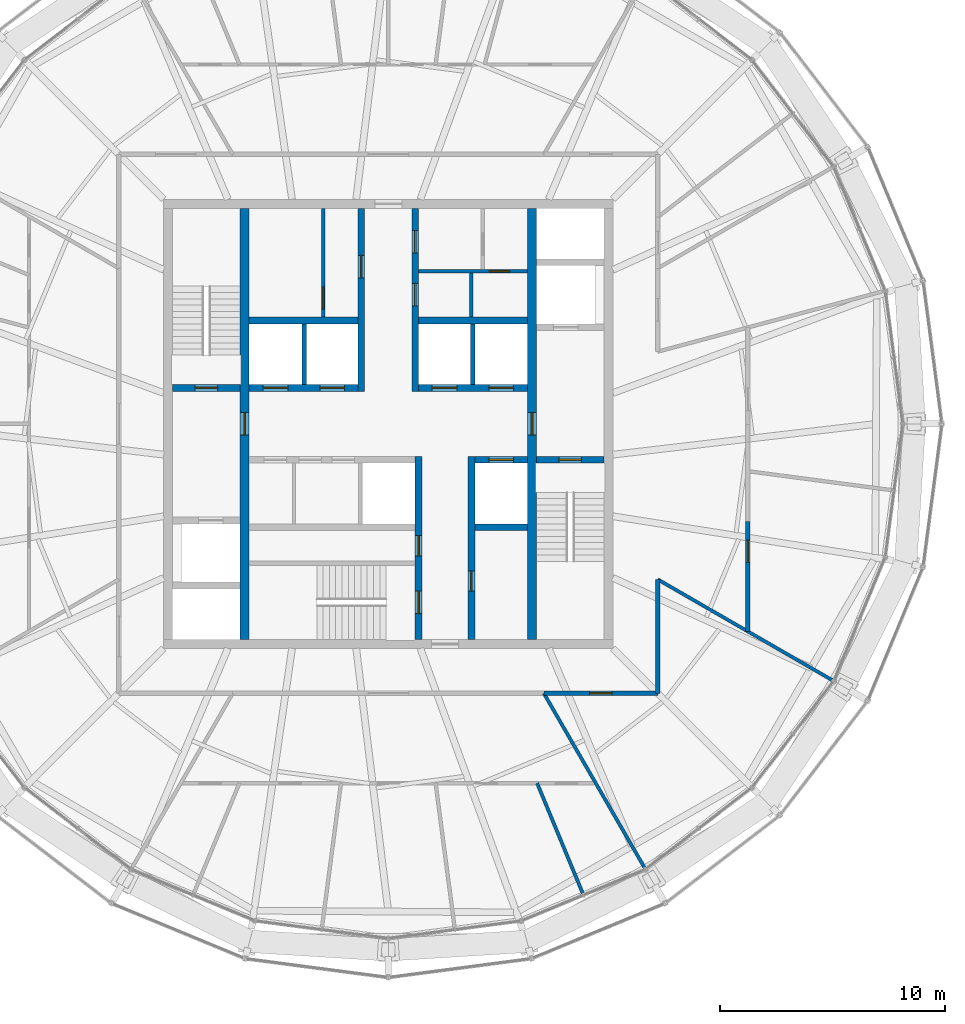
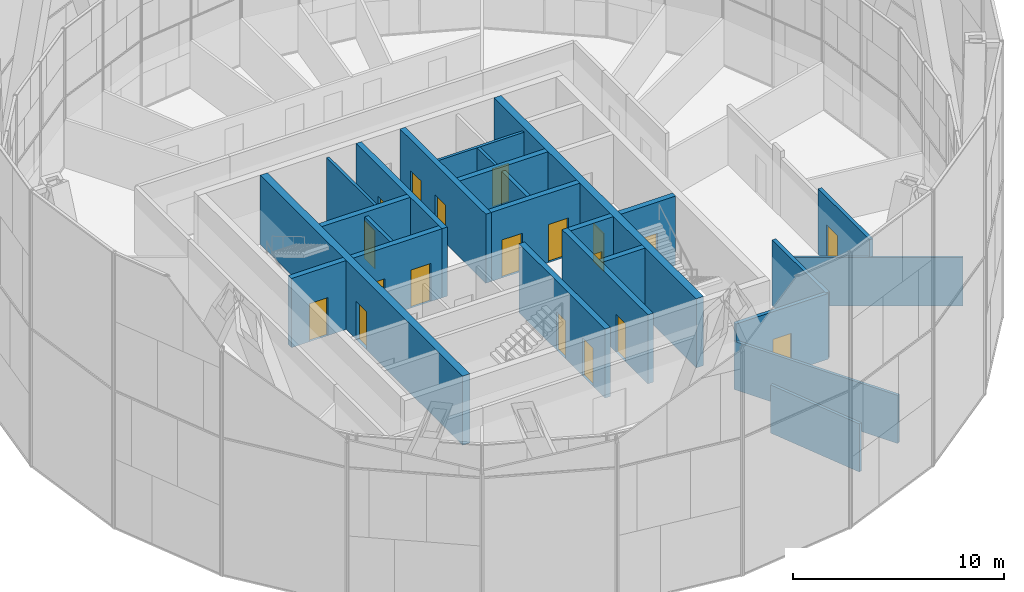
# One storey, part 20 of 23: 25 walls, 19 doors, 19 openings.
"""IFC4 building model written with IfcOpenShell, lengths in metres."""

from ifc_helpers import new_model, si_unit, direction, frame, frame_2d, origin, place, context, subcontext, project, spatial, rectangle, extrude, material, layer, layer_set, type_object, element, fill, save


model = new_model("IFC4")

# Units and contexts
model_context = context("Model", 3, precision=1e-05, world=origin(), true_north=direction((0.0, 1.0)))
body_context = subcontext(model_context, "Body", "Model", "MODEL_VIEW")
ifc_project = project(units=[si_unit("LENGTHUNIT", "METRE"), si_unit("AREAUNIT", "SQUARE_METRE"), si_unit("VOLUMEUNIT", "CUBIC_METRE"), si_unit("PLANEANGLEUNIT", "RADIAN"), si_unit("MASSUNIT", "GRAM", prefix="KILO")], contexts=[model_context])

# Site, building, storey
site_placement = place(None, origin())
site = spatial("IfcSite", under=ifc_project, at=site_placement, CompositionType="ELEMENT")
building_placement = place(site_placement, origin())
building = spatial("IfcBuilding", under=site, at=building_placement, Name="Golbaran Civic Tower", CompositionType="ELEMENT")
storey_placement = place(building_placement, frame((0.0, 0.0, 232.0)))
storey = spatial("IfcBuildingStorey", under=building, at=storey_placement, Name="L56", CompositionType="ELEMENT", Elevation=232.0)

# Wall, opening, door
ifc_material_1 = material(Name="Concrete block", Category="concrete")
ifc_layer_1 = layer(ifc_material_1, 0.14990234375, Name="Concrete block")
ifc_layer_set_1 = layer_set([ifc_layer_1], Name="Concrete block")
wall_type_1 = type_object("IfcWallType", Name="BLOCKWORK PARTITION 150", PredefinedType="PARTITIONING", material=ifc_layer_set_1)
wall_1_placement = place(storey_placement, frame((1.35009765625, 6.800048828125, 0.0), z_axis=(0.0, 0.0, 1.0), x_axis=(1.0, 0.0, 0.0)))
wall_1 = element("IfcWall", 1, at=wall_1_placement, inside=storey, type_object=wall_type_1, Name="Toilet block partition TN1 L56", PredefinedType="PARTITIONING", context=body_context, shape_type="SweptSolid", body=[
    extrude(rectangle(XDim=4.849853515625, YDim=0.14990234375, at=frame_2d((2.4248046875, 0.0))), origin(), (0.0, 0.0, 1.0), 3.75),
])
opening_1_placement = place(wall_1_placement, frame((3.14990234375, 0.0, 0.0)))
opening_1 = element("IfcOpeningElement", 2, at=opening_1_placement, cuts=wall_1, Name="Opening L56.CLN", PredefinedType="OPENING", context=body_context, shape_type="SweptSolid", body=[
    extrude(rectangle(XDim=0.89990234375, YDim=2.199951171875, at=frame_2d((0.449951171875, 1.10009765625))), frame((0.0, 0.0849609375, 0.0), z_axis=(0.0, -1.0, 0.0), x_axis=(1.0, 0.0, 0.0)), (0.0, 0.0, 1.0), 0.169921875),
])
ifc_material_2 = material(Name="Timber door set in steel frame", Category="steel")
door_type_1 = type_object("IfcDoorType", Name="RISER DOOR 900x2200", OperationType="SINGLE_SWING_LEFT", PredefinedType="DOOR", material=ifc_material_2)
door_1_placement = place(opening_1_placement, origin())
door_1 = element("IfcDoor", 3, at=door_1_placement, inside=storey, type_object=door_type_1, Name="Sanitary Supplies Store door", OperationType="SINGLE_SWING_RIGHT", OverallHeight=2.199951171875, OverallWidth=0.89990234375, PredefinedType="DOOR", context=body_context, shape_type="SweptSolid", body=[
    extrude(rectangle(XDim=0.89990234375, YDim=2.199951171875, at=frame_2d((0.449951171875, 1.10009765625))), frame((0.0, 0.02490234375, 0.0), z_axis=(0.0, -1.0, 0.0), x_axis=(1.0, 0.0, 0.0)), (0.0, 0.0, 1.0), 0.050048828125),
])
fill(opening_1, door_1)

# Wall
wall_2_placement = place(storey_placement, frame((3.699951171875, 4.75, 0.0), z_axis=(0.0, 0.0, 1.0), x_axis=(0.0, 1.0, 0.0)))
element("IfcWall", 4, at=wall_2_placement, inside=storey, type_object=wall_type_1, Name="Toilet block partition TN2 L56", PredefinedType="PARTITIONING", context=body_context, shape_type="SweptSolid", body=[
    extrude(rectangle(XDim=1.97509765625, YDim=0.14990234375, at=frame_2d((0.987548828125, 0.0))), origin(), (0.0, 0.0, 1.0), 3.75),
])

# Wall, opening, door
ifc_material_3 = material(Name="Concrete C50/60", Category="concrete")
ifc_layer_2 = layer(ifc_material_3, 0.39990234375, Name="Concrete C50/60")
ifc_layer_set_2 = layer_set([ifc_layer_2], Name="Concrete C50/60")
wall_type_2 = type_object("IfcWallType", Name="CORE WALL CONCRETE 400", PredefinedType="SOLIDWALL", material=ifc_layer_set_2)
wall_3_placement = place(storey_placement, frame((-6.39990234375, -9.60009765625, 0.0), z_axis=(0.0, 0.0, 1.0), x_axis=(0.0, 1.0, 0.0)))
wall_3 = element("IfcWall", 5, at=wall_3_placement, inside=storey, type_object=wall_type_2, Name="Core wall IW L56", PredefinedType="SOLIDWALL", context=body_context, shape_type="SweptSolid", body=[
    extrude(rectangle(XDim=19.2001953125, YDim=0.39990234375, at=frame_2d((9.60009765625, 0.0))), origin(), (0.0, 0.0, 1.0), 4.0),
])
opening_2_placement = place(wall_3_placement, frame((9.10009765625, 0.0, 0.0)))
opening_2 = element("IfcOpeningElement", 6, at=opening_2_placement, cuts=wall_3, Name="Opening L56.FL1", PredefinedType="OPENING", context=body_context, shape_type="SweptSolid", body=[
    extrude(rectangle(XDim=1.0, YDim=2.199951171875, at=frame_2d((0.5, 1.10009765625))), frame((0.0, 0.2099609375, 0.0), z_axis=(0.0, -1.0, 0.0), x_axis=(1.0, 0.0, 0.0)), (0.0, 0.0, 1.0), 0.419921875),
])
door_type_2 = type_object("IfcDoorType", Name="STAIR DOOR 1000x2200", OperationType="SINGLE_SWING_LEFT", PredefinedType="DOOR", material=ifc_material_2)
door_2_placement = place(opening_2_placement, origin())
door_2 = element("IfcDoor", 7, at=door_2_placement, inside=storey, type_object=door_type_2, Name="Fire-fighting lobby FL1 door", OperationType="SINGLE_SWING_LEFT", OverallHeight=2.199951171875, OverallWidth=1.0, PredefinedType="DOOR", context=body_context, shape_type="SweptSolid", body=[
    extrude(rectangle(XDim=1.0, YDim=2.199951171875, at=frame_2d((0.5, 1.10009765625))), frame((0.0, 0.02490234375, 0.0), z_axis=(0.0, -1.0, 0.0), x_axis=(1.0, 0.0, 0.0)), (0.0, 0.0, 1.0), 0.050048828125),
])
fill(opening_2, door_2)

wall_4_placement = place(storey_placement, frame((6.39990234375, 9.60009765625, 0.0), z_axis=(0.0, 0.0, 1.0), x_axis=(0.0, -1.0, 0.0)))
wall_4 = element("IfcWall", 8, at=wall_4_placement, inside=storey, type_object=wall_type_2, Name="Core wall IE L56", PredefinedType="SOLIDWALL", context=body_context, shape_type="SweptSolid", body=[
    extrude(rectangle(XDim=19.2001953125, YDim=0.39990234375, at=frame_2d((9.60009765625, 0.0))), origin(), (0.0, 0.0, 1.0), 4.0),
])
opening_3_placement = place(wall_4_placement, frame((9.10009765625, 0.0, 0.0)))
opening_3 = element("IfcOpeningElement", 9, at=opening_3_placement, cuts=wall_4, Name="Opening L56.FL2", PredefinedType="OPENING", context=body_context, shape_type="SweptSolid", body=[
    extrude(rectangle(XDim=1.0, YDim=2.199951171875, at=frame_2d((0.5, 1.10009765625))), frame((0.0, 0.2099609375, 0.0), z_axis=(0.0, -1.0, 0.0), x_axis=(1.0, 0.0, 0.0)), (0.0, 0.0, 1.0), 0.419921875),
])
door_3_placement = place(opening_3_placement, origin())
door_3 = element("IfcDoor", 10, at=door_3_placement, inside=storey, type_object=door_type_2, Name="Fire-fighting lobby FL2 door", OperationType="SINGLE_SWING_RIGHT", OverallHeight=2.199951171875, OverallWidth=1.0, PredefinedType="DOOR", context=body_context, shape_type="SweptSolid", body=[
    extrude(rectangle(XDim=1.0, YDim=2.199951171875, at=frame_2d((0.5, 1.10009765625))), frame((0.0, 0.02490234375, 0.0), z_axis=(0.0, -1.0, 0.0), x_axis=(1.0, 0.0, 0.0)), (0.0, 0.0, 1.0), 0.050048828125),
])
fill(opening_3, door_3)

ifc_material_4 = material(Name="Gypsum board on steel studs, fire-rated", Category="steel")
ifc_layer_3 = layer(ifc_material_4, 0.199951171875, Name="Gypsum board on steel studs, fire-rated")
ifc_layer_set_3 = layer_set([ifc_layer_3], Name="Gypsum board on steel studs, fire-rated")
wall_type_3 = type_object("IfcWallType", Name="CORRIDOR WALL 200", PredefinedType="PARTITIONING", material=ifc_layer_set_3)
wall_5_placement = place(storey_placement, frame((6.92822265625, -12.0, 0.0), z_axis=(0.0, 0.0, 1.0), x_axis=(1.0, 0.0, 0.0)))
wall_5 = element("IfcWall", 11, at=wall_5_placement, inside=storey, type_object=wall_type_3, Name="Corridor wall L56", PredefinedType="PARTITIONING", context=body_context, shape_type="SweptSolid", body=[
    extrude(rectangle(XDim=5.07177734375, YDim=0.199951171875, at=frame_2d((2.535888671875, 0.0))), origin(), (0.0, 0.0, 1.0), 3.800048828125),
])
opening_4_placement = place(wall_5_placement, frame((2.035888671875, 0.0, 0.0)))
opening_4 = element("IfcOpeningElement", 12, at=opening_4_placement, cuts=wall_5, Name="Opening L56.27", PredefinedType="OPENING", context=body_context, shape_type="SweptSolid", body=[
    extrude(rectangle(XDim=1.0, YDim=2.199951171875, at=frame_2d((0.5, 1.10009765625))), frame((0.0, 0.10986328125, 0.0), z_axis=(0.0, -1.0, 0.0), x_axis=(1.0, 0.0, 0.0)), (0.0, 0.0, 1.0), 0.219970703125),
])
door_type_3 = type_object("IfcDoorType", Name="OFFICE DOOR 1000x2200", OperationType="SINGLE_SWING_LEFT", PredefinedType="DOOR", material=ifc_material_2)
door_4_placement = place(opening_4_placement, origin())
door_4 = element("IfcDoor", 13, at=door_4_placement, inside=storey, type_object=door_type_3, Name="Quiet Room door L56", OperationType="SINGLE_SWING_LEFT", OverallHeight=2.199951171875, OverallWidth=1.0, PredefinedType="DOOR", context=body_context, shape_type="SweptSolid", body=[
    extrude(rectangle(XDim=1.0, YDim=2.199951171875, at=frame_2d((0.5, 1.10009765625))), frame((0.0, 0.02490234375, 0.0), z_axis=(0.0, -1.0, 0.0), x_axis=(1.0, 0.0, 0.0)), (0.0, 0.0, 1.0), 0.050048828125),
])
fill(opening_4, door_4)

# Wall
wall_6_placement = place(storey_placement, frame((12.0, -12.0, 0.0), z_axis=(0.0, 0.0, 1.0), x_axis=(0.0, 1.0, 0.0)))
element("IfcWall", 14, at=wall_6_placement, inside=storey, type_object=wall_type_3, Name="Corridor wall L56", PredefinedType="PARTITIONING", context=body_context, shape_type="SweptSolid", body=[
    extrude(rectangle(XDim=5.07177734375, YDim=0.199951171875, at=frame_2d((2.535888671875, 0.0))), origin(), (0.0, 0.0, 1.0), 3.800048828125),
])

# Wall, opening, door
ifc_material_5 = material(Name="Gypsum board on steel studs, fire-rated, glazed panels", Category="steel")
ifc_layer_4 = layer(ifc_material_5, 0.199951171875, Name="Gypsum board on steel studs, fire-rated, glazed panels")
ifc_layer_set_4 = layer_set([ifc_layer_4], Name="Gypsum board on steel studs, fire-rated, glazed panels")
wall_type_4 = type_object("IfcWallType", Name="GALLERY WALL 200", PredefinedType="PARTITIONING", material=ifc_layer_set_4)
wall_7_placement = place(storey_placement, frame((16.0, -9.237548828125, 0.0), z_axis=(0.0, 0.0, 1.0), x_axis=(0.0, 1.0, 0.0)))
wall_7 = element("IfcWall", 15, at=wall_7_placement, inside=storey, type_object=wall_type_4, Name="Gallery wall L56", PredefinedType="PARTITIONING", context=body_context, shape_type="SweptSolid", body=[
    extrude(rectangle(XDim=4.884521484375, YDim=0.199951171875, at=frame_2d((2.4423828125, 0.0))), origin(), (0.0, 0.0, 1.0), 3.800048828125),
])
opening_5_placement = place(wall_7_placement, frame((3.065673828125, 0.0, 0.0)))
opening_5 = element("IfcOpeningElement", 16, at=opening_5_placement, cuts=wall_7, Name="Opening L56.01", PredefinedType="OPENING", context=body_context, shape_type="SweptSolid", body=[
    extrude(rectangle(XDim=1.0, YDim=2.199951171875, at=frame_2d((0.5, 1.10009765625))), frame((0.0, 0.10986328125, 0.0), z_axis=(0.0, -1.0, 0.0), x_axis=(1.0, 0.0, 0.0)), (0.0, 0.0, 1.0), 0.219970703125),
])
door_5_placement = place(opening_5_placement, origin())
door_5 = element("IfcDoor", 17, at=door_5_placement, inside=storey, type_object=door_type_3, Name="Office door L56", OperationType="SINGLE_SWING_LEFT", OverallHeight=2.199951171875, OverallWidth=1.0, PredefinedType="DOOR", context=body_context, shape_type="SweptSolid", body=[
    extrude(rectangle(XDim=1.0, YDim=2.199951171875, at=frame_2d((0.5, 1.10009765625))), frame((0.0, 0.02490234375, 0.0), z_axis=(0.0, -1.0, 0.0), x_axis=(1.0, 0.0, 0.0)), (0.0, 0.0, 1.0), 0.050048828125),
])
fill(opening_5, door_5)

# Walls
ifc_layer_5 = layer(ifc_material_1, 0.199951171875, Name="Concrete block")
ifc_layer_set_5 = layer_set([ifc_layer_5], Name="Concrete block")
wall_type_5 = type_object("IfcWallType", Name="LIFT SEPARATOR WALL 200", PredefinedType="SOLIDWALL", material=ifc_layer_set_5)
for number, where, z_axis, x_axis, name in (
    (18, (-3.75, 1.75, 0.0), (0.0, 0.0, 1.0), (0.0, 1.0, 0.0), "Core partition SNW L56"),
    (19, (3.75, 1.75, 0.0), (0.0, 0.0, 1.0), (0.0, 1.0, 0.0), "Core partition SNE L56"),
):
    element("IfcWall", number, at=place(storey_placement, frame(where, z_axis=z_axis, x_axis=x_axis)), inside=storey, type_object=wall_type_5, Name=name, PredefinedType="SOLIDWALL", context=body_context, shape_type="SweptSolid", body=[
        extrude(rectangle(XDim=2.699951171875, YDim=0.199951171875, at=frame_2d((1.35009765625, 0.0))), origin(), (0.0, 0.0, 1.0), 3.75),
    ])
ifc_material_6 = material(Name="Gypsum board on steel studs", Category="steel")
ifc_layer_6 = layer(ifc_material_6, 0.14990234375, Name="Gypsum board on steel studs")
ifc_layer_set_6 = layer_set([ifc_layer_6], Name="Gypsum board on steel studs")
wall_type_6 = type_object("IfcWallType", Name="OFFICE PARTITION 150", PredefinedType="PARTITIONING", material=ifc_layer_set_6)
for number, where, z_axis, x_axis, name in (
    (20, (12.0, -6.92822265625, 0.0), (0.0, 0.0, 1.0), (0.866025969295, -0.499999020506, 0.0), "Partition 330 L56"),
    (21, (6.92822265625, -12.0, 0.0), (0.0, 0.0, 1.0), (0.499999020506, -0.866025969295, 0.0), "Partition 300 L56"),
):
    element("IfcWall", number, at=place(storey_placement, frame(where, z_axis=z_axis, x_axis=x_axis)), inside=storey, type_object=wall_type_6, Name=name, PredefinedType="PARTITIONING", context=body_context, shape_type="SweptSolid", body=[
        extrude(rectangle(XDim=8.9658203125, YDim=0.14990234375, at=frame_2d((4.48291015625, 0.0))), origin(), (0.0, 0.0, 1.0), 2.7900390625),
    ])
wall_8_placement = place(storey_placement, frame((6.62744140625, -16.0, 0.0), z_axis=(0.0, 0.0, 1.0), x_axis=(0.382678083764, -0.923881747956, 0.0)))
element("IfcWall", 22, at=wall_8_placement, inside=storey, type_object=wall_type_6, Name="Partition 292.5 L56", PredefinedType="PARTITIONING", context=body_context, shape_type="SweptSolid", body=[
    extrude(rectangle(XDim=5.30859375, YDim=0.14990234375, at=frame_2d((2.654296875, 0.0))), origin(), (0.0, 0.0, 1.0), 2.7900390625),
])

# Wall, openings, doors
ifc_layer_7 = layer(ifc_material_3, 0.300048828125, Name="Concrete C50/60")
ifc_layer_set_7 = layer_set([ifc_layer_7], Name="Concrete C50/60")
wall_type_7 = type_object("IfcWallType", Name="SHAFT WALL CONCRETE 300", PredefinedType="SOLIDWALL", material=ifc_layer_set_7)
wall_9_placement = place(storey_placement, frame((-6.199951171875, 1.60009765625, 0.0), z_axis=(0.0, 0.0, 1.0), x_axis=(1.0, 0.0, 0.0)))
wall_9 = element("IfcWall", 23, at=wall_9_placement, inside=storey, type_object=wall_type_7, Name="Core wall FNW L56", PredefinedType="SOLIDWALL", context=body_context, shape_type="SweptSolid", body=[
    extrude(rectangle(XDim=4.849853515625, YDim=0.300048828125, at=frame_2d((2.4248046875, 0.0))), origin(), (0.0, 0.0, 1.0), 4.0),
])
opening_6_placement = place(wall_9_placement, frame((0.625, 0.0, 0.0)))
opening_6 = element("IfcOpeningElement", 24, at=opening_6_placement, cuts=wall_9, Name="Opening L56.LD-Z1T", PredefinedType="OPENING", context=body_context, shape_type="SweptSolid", body=[
    extrude(rectangle(XDim=1.10009765625, YDim=2.199951171875, at=frame_2d((0.550048828125, 1.10009765625))), frame((0.0, 0.159912109375, 0.0), z_axis=(0.0, -1.0, 0.0), x_axis=(1.0, 0.0, 0.0)), (0.0, 0.0, 1.0), 0.320068359375),
])
opening_7_placement = place(wall_9_placement, frame((3.14990234375, 0.0, 0.0)))
opening_7 = element("IfcOpeningElement", 25, at=opening_7_placement, cuts=wall_9, Name="Opening L56.LD-Z2T", PredefinedType="OPENING", context=body_context, shape_type="SweptSolid", body=[
    extrude(rectangle(XDim=1.10009765625, YDim=2.199951171875, at=frame_2d((0.550048828125, 1.10009765625))), frame((0.0, 0.159912109375, 0.0), z_axis=(0.0, -1.0, 0.0), x_axis=(1.0, 0.0, 0.0)), (0.0, 0.0, 1.0), 0.320068359375),
])
ifc_material_7 = material(Name="Stainless steel", Category="steel")
door_type_4 = type_object("IfcDoorType", Name="LIFT LANDING DOOR 1100x2200", OperationType="SLIDING_TO_LEFT", PredefinedType="DOOR", material=ifc_material_7)
door_6_placement = place(opening_6_placement, origin())
door_6 = element("IfcDoor", 26, at=door_6_placement, inside=storey, type_object=door_type_4, Name="Lift landing door Z1T", OperationType="SLIDING_TO_LEFT", OverallHeight=2.199951171875, OverallWidth=1.10009765625, PredefinedType="DOOR", context=body_context, shape_type="SweptSolid", body=[
    extrude(rectangle(XDim=1.10009765625, YDim=2.199951171875, at=frame_2d((0.550048828125, 1.10009765625))), frame((0.0, 0.02490234375, 0.0), z_axis=(0.0, -1.0, 0.0), x_axis=(1.0, 0.0, 0.0)), (0.0, 0.0, 1.0), 0.050048828125),
])
fill(opening_6, door_6)
door_7_placement = place(opening_7_placement, origin())
door_7 = element("IfcDoor", 27, at=door_7_placement, inside=storey, type_object=door_type_4, Name="Lift landing door Z2T", OperationType="SLIDING_TO_LEFT", OverallHeight=2.199951171875, OverallWidth=1.10009765625, PredefinedType="DOOR", context=body_context, shape_type="SweptSolid", body=[
    extrude(rectangle(XDim=1.10009765625, YDim=2.199951171875, at=frame_2d((0.550048828125, 1.10009765625))), frame((0.0, 0.02490234375, 0.0), z_axis=(0.0, -1.0, 0.0), x_axis=(1.0, 0.0, 0.0)), (0.0, 0.0, 1.0), 0.050048828125),
])
fill(opening_7, door_7)

wall_10_placement = place(storey_placement, frame((1.35009765625, 1.60009765625, 0.0), z_axis=(0.0, 0.0, 1.0), x_axis=(1.0, 0.0, 0.0)))
wall_10 = element("IfcWall", 28, at=wall_10_placement, inside=storey, type_object=wall_type_7, Name="Core wall FNE L56", PredefinedType="SOLIDWALL", context=body_context, shape_type="SweptSolid", body=[
    extrude(rectangle(XDim=4.849853515625, YDim=0.300048828125, at=frame_2d((2.4248046875, 0.0))), origin(), (0.0, 0.0, 1.0), 4.0),
])
opening_8_placement = place(wall_10_placement, frame((0.60009765625, 0.0, 0.0)))
opening_8 = element("IfcOpeningElement", 29, at=opening_8_placement, cuts=wall_10, Name="Opening L56.LD-Z3T", PredefinedType="OPENING", context=body_context, shape_type="SweptSolid", body=[
    extrude(rectangle(XDim=1.10009765625, YDim=2.199951171875, at=frame_2d((0.550048828125, 1.10009765625))), frame((0.0, 0.159912109375, 0.0), z_axis=(0.0, -1.0, 0.0), x_axis=(1.0, 0.0, 0.0)), (0.0, 0.0, 1.0), 0.320068359375),
])
opening_9_placement = place(wall_10_placement, frame((3.125, 0.0, 0.0)))
opening_9 = element("IfcOpeningElement", 30, at=opening_9_placement, cuts=wall_10, Name="Opening L56.LD-Z4T", PredefinedType="OPENING", context=body_context, shape_type="SweptSolid", body=[
    extrude(rectangle(XDim=1.10009765625, YDim=2.199951171875, at=frame_2d((0.550048828125, 1.10009765625))), frame((0.0, 0.159912109375, 0.0), z_axis=(0.0, -1.0, 0.0), x_axis=(1.0, 0.0, 0.0)), (0.0, 0.0, 1.0), 0.320068359375),
])
door_8_placement = place(opening_8_placement, origin())
door_8 = element("IfcDoor", 31, at=door_8_placement, inside=storey, type_object=door_type_4, Name="Lift landing door Z3T", OperationType="SLIDING_TO_LEFT", OverallHeight=2.199951171875, OverallWidth=1.10009765625, PredefinedType="DOOR", context=body_context, shape_type="SweptSolid", body=[
    extrude(rectangle(XDim=1.10009765625, YDim=2.199951171875, at=frame_2d((0.550048828125, 1.10009765625))), frame((0.0, 0.02490234375, 0.0), z_axis=(0.0, -1.0, 0.0), x_axis=(1.0, 0.0, 0.0)), (0.0, 0.0, 1.0), 0.050048828125),
])
fill(opening_8, door_8)
door_9_placement = place(opening_9_placement, origin())
door_9 = element("IfcDoor", 32, at=door_9_placement, inside=storey, type_object=door_type_4, Name="Lift landing door Z4T", OperationType="SLIDING_TO_LEFT", OverallHeight=2.199951171875, OverallWidth=1.10009765625, PredefinedType="DOOR", context=body_context, shape_type="SweptSolid", body=[
    extrude(rectangle(XDim=1.10009765625, YDim=2.199951171875, at=frame_2d((0.550048828125, 1.10009765625))), frame((0.0, 0.02490234375, 0.0), z_axis=(0.0, -1.0, 0.0), x_axis=(1.0, 0.0, 0.0)), (0.0, 0.0, 1.0), 0.050048828125),
])
fill(opening_9, door_9)

# Walls
for number, where, z_axis, x_axis, name in (
    (33, (-6.199951171875, 4.60009765625, 0.0), (0.0, 0.0, 1.0), (1.0, 0.0, 0.0), "Core wall BNW L56"),
    (34, (1.35009765625, 4.60009765625, 0.0), (0.0, 0.0, 1.0), (1.0, 0.0, 0.0), "Core wall BNE L56"),
):
    element("IfcWall", number, at=place(storey_placement, frame(where, z_axis=z_axis, x_axis=x_axis)), inside=storey, type_object=wall_type_7, Name=name, PredefinedType="SOLIDWALL", context=body_context, shape_type="SweptSolid", body=[
        extrude(rectangle(XDim=4.849853515625, YDim=0.300048828125, at=frame_2d((2.4248046875, 0.0))), origin(), (0.0, 0.0, 1.0), 4.0),
    ])

# Wall, opening, door
wall_11_placement = place(storey_placement, frame((-1.199951171875, 1.449951171875, 0.0), z_axis=(0.0, 0.0, 1.0), x_axis=(0.0, 1.0, 0.0)))
wall_11 = element("IfcWall", 35, at=wall_11_placement, inside=storey, type_object=wall_type_7, Name="Core wall PNW L56", PredefinedType="SOLIDWALL", context=body_context, shape_type="SweptSolid", body=[
    extrude(rectangle(XDim=8.150146484375, YDim=0.300048828125, at=frame_2d((4.0751953125, 0.0))), origin(), (0.0, 0.0, 1.0), 4.0),
])
opening_10_placement = place(wall_11_placement, frame((5.050048828125, 0.0, 0.0)))
opening_10 = element("IfcOpeningElement", 36, at=opening_10_placement, cuts=wall_11, Name="Opening L56.WCM", PredefinedType="OPENING", context=body_context, shape_type="SweptSolid", body=[
    extrude(rectangle(XDim=1.0, YDim=2.199951171875, at=frame_2d((0.5, 1.10009765625))), frame((0.0, 0.159912109375, 0.0), z_axis=(0.0, -1.0, 0.0), x_axis=(1.0, 0.0, 0.0)), (0.0, 0.0, 1.0), 0.320068359375),
])
door_type_5 = type_object("IfcDoorType", Name="TOILET DOOR 1000x2200", OperationType="SINGLE_SWING_LEFT", PredefinedType="DOOR", material=ifc_material_2)
door_10_placement = place(opening_10_placement, origin())
door_10 = element("IfcDoor", 37, at=door_10_placement, inside=storey, type_object=door_type_5, Name="North-west toilet block door", OperationType="SINGLE_SWING_RIGHT", OverallHeight=2.199951171875, OverallWidth=1.0, PredefinedType="DOOR", context=body_context, shape_type="SweptSolid", body=[
    extrude(rectangle(XDim=1.0, YDim=2.199951171875, at=frame_2d((0.5, 1.10009765625))), frame((0.0, 0.02490234375, 0.0), z_axis=(0.0, -1.0, 0.0), x_axis=(1.0, 0.0, 0.0)), (0.0, 0.0, 1.0), 0.050048828125),
])
fill(opening_10, door_10)

# Wall, openings, doors
wall_12_placement = place(storey_placement, frame((1.199951171875, 1.449951171875, 0.0), z_axis=(0.0, 0.0, 1.0), x_axis=(0.0, 1.0, 0.0)))
wall_12 = element("IfcWall", 38, at=wall_12_placement, inside=storey, type_object=wall_type_7, Name="Core wall PNE L56", PredefinedType="SOLIDWALL", context=body_context, shape_type="SweptSolid", body=[
    extrude(rectangle(XDim=8.150146484375, YDim=0.300048828125, at=frame_2d((4.0751953125, 0.0))), origin(), (0.0, 0.0, 1.0), 4.0),
])
opening_11_placement = place(wall_12_placement, frame((3.800048828125, 0.0, 0.0)))
opening_11 = element("IfcOpeningElement", 39, at=opening_11_placement, cuts=wall_12, Name="Opening L56.WCA", PredefinedType="OPENING", context=body_context, shape_type="SweptSolid", body=[
    extrude(rectangle(XDim=1.0, YDim=2.199951171875, at=frame_2d((0.5, 1.10009765625))), frame((0.0, 0.159912109375, 0.0), z_axis=(0.0, -1.0, 0.0), x_axis=(1.0, 0.0, 0.0)), (0.0, 0.0, 1.0), 0.320068359375),
])
opening_12_placement = place(wall_12_placement, frame((6.14990234375, 0.0, 0.0)))
opening_12 = element("IfcOpeningElement", 40, at=opening_12_placement, cuts=wall_12, Name="Opening L56.WCF", PredefinedType="OPENING", context=body_context, shape_type="SweptSolid", body=[
    extrude(rectangle(XDim=1.0, YDim=2.199951171875, at=frame_2d((0.5, 1.10009765625))), frame((0.0, 0.159912109375, 0.0), z_axis=(0.0, -1.0, 0.0), x_axis=(1.0, 0.0, 0.0)), (0.0, 0.0, 1.0), 0.320068359375),
])
door_11_placement = place(opening_11_placement, origin())
door_11 = element("IfcDoor", 41, at=door_11_placement, inside=storey, type_object=door_type_5, Name="Accessible WC door", OperationType="SINGLE_SWING_RIGHT", OverallHeight=2.199951171875, OverallWidth=1.0, PredefinedType="DOOR", context=body_context, shape_type="SweptSolid", body=[
    extrude(rectangle(XDim=1.0, YDim=2.199951171875, at=frame_2d((0.5, 1.10009765625))), frame((0.0, 0.02490234375, 0.0), z_axis=(0.0, -1.0, 0.0), x_axis=(1.0, 0.0, 0.0)), (0.0, 0.0, 1.0), 0.050048828125),
])
fill(opening_11, door_11)
door_12_placement = place(opening_12_placement, origin())
door_12 = element("IfcDoor", 42, at=door_12_placement, inside=storey, type_object=door_type_5, Name="North-east toilet block door", OperationType="SINGLE_SWING_RIGHT", OverallHeight=2.199951171875, OverallWidth=1.0, PredefinedType="DOOR", context=body_context, shape_type="SweptSolid", body=[
    extrude(rectangle(XDim=1.0, YDim=2.199951171875, at=frame_2d((0.5, 1.10009765625))), frame((0.0, 0.02490234375, 0.0), z_axis=(0.0, -1.0, 0.0), x_axis=(1.0, 0.0, 0.0)), (0.0, 0.0, 1.0), 0.050048828125),
])
fill(opening_12, door_12)

# Wall, opening, door
wall_13_placement = place(storey_placement, frame((3.85009765625, -1.60009765625, 0.0), z_axis=(0.0, 0.0, 1.0), x_axis=(1.0, 0.0, 0.0)))
wall_13 = element("IfcWall", 43, at=wall_13_placement, inside=storey, type_object=wall_type_7, Name="Core wall FSE L56", PredefinedType="SOLIDWALL", context=body_context, shape_type="SweptSolid", body=[
    extrude(rectangle(XDim=2.349853515625, YDim=0.300048828125, at=frame_2d((1.1748046875, 0.0))), origin(), (0.0, 0.0, 1.0), 4.0),
])
opening_13_placement = place(wall_13_placement, frame((0.625, 0.0, 0.0)))
opening_13 = element("IfcOpeningElement", 44, at=opening_13_placement, cuts=wall_13, Name="Opening L56.LD-V1", PredefinedType="OPENING", context=body_context, shape_type="SweptSolid", body=[
    extrude(rectangle(XDim=1.10009765625, YDim=2.199951171875, at=frame_2d((0.550048828125, 1.10009765625))), frame((0.0, 0.159912109375, 0.0), z_axis=(0.0, -1.0, 0.0), x_axis=(1.0, 0.0, 0.0)), (0.0, 0.0, 1.0), 0.320068359375),
])
door_13_placement = place(opening_13_placement, origin())
door_13 = element("IfcDoor", 45, at=door_13_placement, inside=storey, type_object=door_type_4, Name="Lift landing door V1", OperationType="SLIDING_TO_LEFT", OverallHeight=2.199951171875, OverallWidth=1.10009765625, PredefinedType="DOOR", context=body_context, shape_type="SweptSolid", body=[
    extrude(rectangle(XDim=1.10009765625, YDim=2.199951171875, at=frame_2d((0.550048828125, 1.10009765625))), frame((0.0, 0.02490234375, 0.0), z_axis=(0.0, -1.0, 0.0), x_axis=(1.0, 0.0, 0.0)), (0.0, 0.0, 1.0), 0.050048828125),
])
fill(opening_13, door_13)

# Wall
wall_14_placement = place(storey_placement, frame((3.85009765625, -4.60009765625, 0.0), z_axis=(0.0, 0.0, 1.0), x_axis=(1.0, 0.0, 0.0)))
element("IfcWall", 46, at=wall_14_placement, inside=storey, type_object=wall_type_7, Name="Core wall BSE L56", PredefinedType="SOLIDWALL", context=body_context, shape_type="SweptSolid", body=[
    extrude(rectangle(XDim=2.349853515625, YDim=0.300048828125, at=frame_2d((1.1748046875, 0.0))), origin(), (0.0, 0.0, 1.0), 4.0),
])

# Wall, openings, doors
wall_15_placement = place(storey_placement, frame((1.35009765625, -1.449951171875, 0.0), z_axis=(0.0, 0.0, 1.0), x_axis=(0.0, -1.0, 0.0)))
wall_15 = element("IfcWall", 47, at=wall_15_placement, inside=storey, type_object=wall_type_7, Name="Core wall PSW L56", PredefinedType="SOLIDWALL", context=body_context, shape_type="SweptSolid", body=[
    extrude(rectangle(XDim=8.150146484375, YDim=0.300048828125, at=frame_2d((4.0751953125, 0.0))), origin(), (0.0, 0.0, 1.0), 4.0),
])
opening_14_placement = place(wall_15_placement, frame((6.0, 0.0, 0.0)))
opening_14 = element("IfcOpeningElement", 48, at=opening_14_placement, cuts=wall_15, Name="Opening L56.S3", PredefinedType="OPENING", context=body_context, shape_type="SweptSolid", body=[
    extrude(rectangle(XDim=1.0, YDim=2.199951171875, at=frame_2d((0.5, 1.10009765625))), frame((0.0, 0.159912109375, 0.0), z_axis=(0.0, -1.0, 0.0), x_axis=(1.0, 0.0, 0.0)), (0.0, 0.0, 1.0), 0.320068359375),
])
opening_15_placement = place(wall_15_placement, frame((3.52490234375, 0.0, 0.0)))
opening_15 = element("IfcOpeningElement", 49, at=opening_15_placement, cuts=wall_15, Name="Opening L56.RE", PredefinedType="OPENING", context=body_context, shape_type="SweptSolid", body=[
    extrude(rectangle(XDim=0.89990234375, YDim=2.199951171875, at=frame_2d((0.449951171875, 1.10009765625))), frame((0.0, 0.159912109375, 0.0), z_axis=(0.0, -1.0, 0.0), x_axis=(1.0, 0.0, 0.0)), (0.0, 0.0, 1.0), 0.320068359375),
])
door_14_placement = place(opening_15_placement, origin())
door_14 = element("IfcDoor", 50, at=door_14_placement, inside=storey, type_object=door_type_1, Name="Electrical riser door", OperationType="SINGLE_SWING_LEFT", OverallHeight=2.199951171875, OverallWidth=0.89990234375, PredefinedType="DOOR", context=body_context, shape_type="SweptSolid", body=[
    extrude(rectangle(XDim=0.89990234375, YDim=2.199951171875, at=frame_2d((0.449951171875, 1.10009765625))), frame((0.0, 0.02490234375, 0.0), z_axis=(0.0, -1.0, 0.0), x_axis=(1.0, 0.0, 0.0)), (0.0, 0.0, 1.0), 0.050048828125),
])
fill(opening_15, door_14)
door_15_placement = place(opening_14_placement, origin())
door_15 = element("IfcDoor", 51, at=door_15_placement, inside=storey, type_object=door_type_2, Name="Stair S3 door", OperationType="SINGLE_SWING_RIGHT", OverallHeight=2.199951171875, OverallWidth=1.0, PredefinedType="DOOR", context=body_context, shape_type="SweptSolid", body=[
    extrude(rectangle(XDim=1.0, YDim=2.199951171875, at=frame_2d((0.5, 1.10009765625))), frame((0.0, 0.02490234375, 0.0), z_axis=(0.0, -1.0, 0.0), x_axis=(1.0, 0.0, 0.0)), (0.0, 0.0, 1.0), 0.050048828125),
])
fill(opening_14, door_15)

# Wall, opening, door
wall_16_placement = place(storey_placement, frame((3.699951171875, -1.449951171875, 0.0), z_axis=(0.0, 0.0, 1.0), x_axis=(0.0, -1.0, 0.0)))
wall_16 = element("IfcWall", 52, at=wall_16_placement, inside=storey, type_object=wall_type_7, Name="Core wall PSE L56", PredefinedType="SOLIDWALL", context=body_context, shape_type="SweptSolid", body=[
    extrude(rectangle(XDim=8.150146484375, YDim=0.300048828125, at=frame_2d((4.0751953125, 0.0))), origin(), (0.0, 0.0, 1.0), 4.0),
])
opening_16_placement = place(wall_16_placement, frame((5.10009765625, 0.0, 0.0)))
opening_16 = element("IfcOpeningElement", 53, at=opening_16_placement, cuts=wall_16, Name="Opening L56.RM", PredefinedType="OPENING", context=body_context, shape_type="SweptSolid", body=[
    extrude(rectangle(XDim=0.89990234375, YDim=2.199951171875, at=frame_2d((0.449951171875, 1.10009765625))), frame((0.0, 0.159912109375, 0.0), z_axis=(0.0, -1.0, 0.0), x_axis=(1.0, 0.0, 0.0)), (0.0, 0.0, 1.0), 0.320068359375),
])
door_16_placement = place(opening_16_placement, origin())
door_16 = element("IfcDoor", 54, at=door_16_placement, inside=storey, type_object=door_type_1, Name="Mechanical riser door", OperationType="SINGLE_SWING_RIGHT", OverallHeight=2.199951171875, OverallWidth=0.89990234375, PredefinedType="DOOR", context=body_context, shape_type="SweptSolid", body=[
    extrude(rectangle(XDim=0.89990234375, YDim=2.199951171875, at=frame_2d((0.449951171875, 1.10009765625))), frame((0.0, 0.02490234375, 0.0), z_axis=(0.0, -1.0, 0.0), x_axis=(1.0, 0.0, 0.0)), (0.0, 0.0, 1.0), 0.050048828125),
])
fill(opening_16, door_16)

wall_17_placement = place(storey_placement, frame((-9.60009765625, 1.60009765625, 0.0), z_axis=(0.0, 0.0, 1.0), x_axis=(1.0, 0.0, 0.0)))
wall_17 = element("IfcWall", 55, at=wall_17_placement, inside=storey, type_object=wall_type_7, Name="Core wall XW1 L56", PredefinedType="SOLIDWALL", context=body_context, shape_type="SweptSolid", body=[
    extrude(rectangle(XDim=3.0, YDim=0.300048828125, at=frame_2d((1.5, 0.0))), origin(), (0.0, 0.0, 1.0), 4.0),
])
opening_17_placement = place(wall_17_placement, frame((1.0, 0.0, 0.0)))
opening_17 = element("IfcOpeningElement", 56, at=opening_17_placement, cuts=wall_17, Name="Opening L56.S1", PredefinedType="OPENING", context=body_context, shape_type="SweptSolid", body=[
    extrude(rectangle(XDim=1.0, YDim=2.199951171875, at=frame_2d((0.5, 1.10009765625))), frame((0.0, 0.159912109375, 0.0), z_axis=(0.0, -1.0, 0.0), x_axis=(1.0, 0.0, 0.0)), (0.0, 0.0, 1.0), 0.320068359375),
])
door_17_placement = place(opening_17_placement, origin())
door_17 = element("IfcDoor", 57, at=door_17_placement, inside=storey, type_object=door_type_2, Name="Stair S1 door", OperationType="SINGLE_SWING_LEFT", OverallHeight=2.199951171875, OverallWidth=1.0, PredefinedType="DOOR", context=body_context, shape_type="SweptSolid", body=[
    extrude(rectangle(XDim=1.0, YDim=2.199951171875, at=frame_2d((0.5, 1.10009765625))), frame((0.0, 0.02490234375, 0.0), z_axis=(0.0, -1.0, 0.0), x_axis=(1.0, 0.0, 0.0)), (0.0, 0.0, 1.0), 0.050048828125),
])
fill(opening_17, door_17)

wall_18_placement = place(storey_placement, frame((6.60009765625, -1.60009765625, 0.0), z_axis=(0.0, 0.0, 1.0), x_axis=(1.0, 0.0, 0.0)))
wall_18 = element("IfcWall", 58, at=wall_18_placement, inside=storey, type_object=wall_type_7, Name="Core wall XE1 L56", PredefinedType="SOLIDWALL", context=body_context, shape_type="SweptSolid", body=[
    extrude(rectangle(XDim=3.0, YDim=0.300048828125, at=frame_2d((1.5, 0.0))), origin(), (0.0, 0.0, 1.0), 4.0),
])
opening_18_placement = place(wall_18_placement, frame((1.0, 0.0, 0.0)))
opening_18 = element("IfcOpeningElement", 59, at=opening_18_placement, cuts=wall_18, Name="Opening L56.S2", PredefinedType="OPENING", context=body_context, shape_type="SweptSolid", body=[
    extrude(rectangle(XDim=1.0, YDim=2.199951171875, at=frame_2d((0.5, 1.10009765625))), frame((0.0, 0.159912109375, 0.0), z_axis=(0.0, -1.0, 0.0), x_axis=(1.0, 0.0, 0.0)), (0.0, 0.0, 1.0), 0.320068359375),
])
door_18_placement = place(opening_18_placement, origin())
door_18 = element("IfcDoor", 60, at=door_18_placement, inside=storey, type_object=door_type_2, Name="Stair S2 door", OperationType="SINGLE_SWING_LEFT", OverallHeight=2.199951171875, OverallWidth=1.0, PredefinedType="DOOR", context=body_context, shape_type="SweptSolid", body=[
    extrude(rectangle(XDim=1.0, YDim=2.199951171875, at=frame_2d((0.5, 1.10009765625))), frame((0.0, 0.02490234375, 0.0), z_axis=(0.0, -1.0, 0.0), x_axis=(1.0, 0.0, 0.0)), (0.0, 0.0, 1.0), 0.050048828125),
])
fill(opening_18, door_18)

ifc_material_8 = material(Name="Moisture-resistant gypsum board on steel studs", Category="steel")
ifc_layer_8 = layer(ifc_material_8, 0.14990234375, Name="Moisture-resistant gypsum board on steel studs")
ifc_layer_set_8 = layer_set([ifc_layer_8], Name="Moisture-resistant gypsum board on steel studs")
wall_type_8 = type_object("IfcWallType", Name="TOILET BLOCK PARTITION 150", PredefinedType="PARTITIONING", material=ifc_layer_set_8)
wall_19_placement = place(storey_placement, frame((-2.89990234375, 4.75, 0.0), z_axis=(0.0, 0.0, 1.0), x_axis=(0.0, 1.0, 0.0)))
wall_19 = element("IfcWall", 61, at=wall_19_placement, inside=storey, type_object=wall_type_8, Name="Toilet block partition MWL L56", PredefinedType="PARTITIONING", context=body_context, shape_type="SweptSolid", body=[
    extrude(rectangle(XDim=4.85009765625, YDim=0.14990234375, at=frame_2d((2.425048828125, 0.0))), origin(), (0.0, 0.0, 1.0), 3.75),
])
opening_19_placement = place(wall_19_placement, frame((0.35009765625, 0.0, 0.0)))
opening_19 = element("IfcOpeningElement", 62, at=opening_19_placement, cuts=wall_19, Name="Opening L56.28", PredefinedType="OPENING", context=body_context, shape_type="SweptSolid", body=[
    extrude(rectangle(XDim=1.0, YDim=2.199951171875, at=frame_2d((0.5, 1.10009765625))), frame((0.0, 0.0849609375, 0.0), z_axis=(0.0, -1.0, 0.0), x_axis=(1.0, 0.0, 0.0)), (0.0, 0.0, 1.0), 0.169921875),
])
door_19_placement = place(opening_19_placement, origin())
door_19 = element("IfcDoor", 63, at=door_19_placement, inside=storey, type_object=door_type_5, Name="Male WC door", OperationType="SINGLE_SWING_LEFT", OverallHeight=2.199951171875, OverallWidth=1.0, PredefinedType="DOOR", context=body_context, shape_type="SweptSolid", body=[
    extrude(rectangle(XDim=1.0, YDim=2.199951171875, at=frame_2d((0.5, 1.10009765625))), frame((0.0, 0.02490234375, 0.0), z_axis=(0.0, -1.0, 0.0), x_axis=(1.0, 0.0, 0.0)), (0.0, 0.0, 1.0), 0.050048828125),
])
fill(opening_19, door_19)

save(model, "model.ifc")
